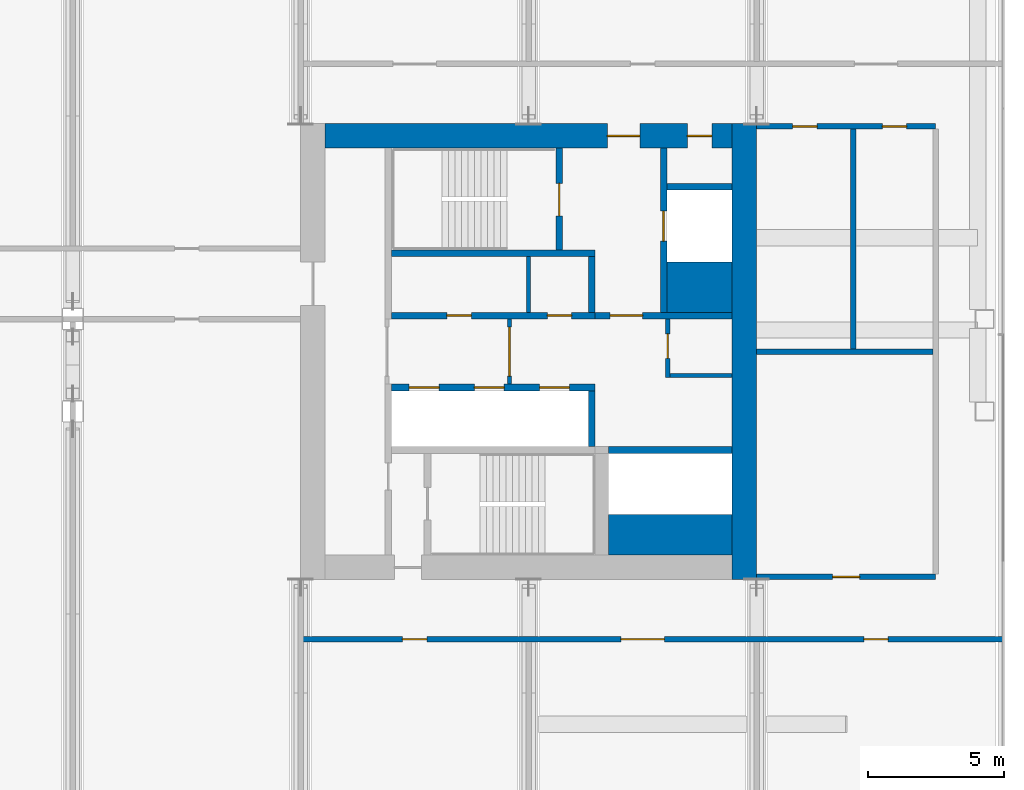
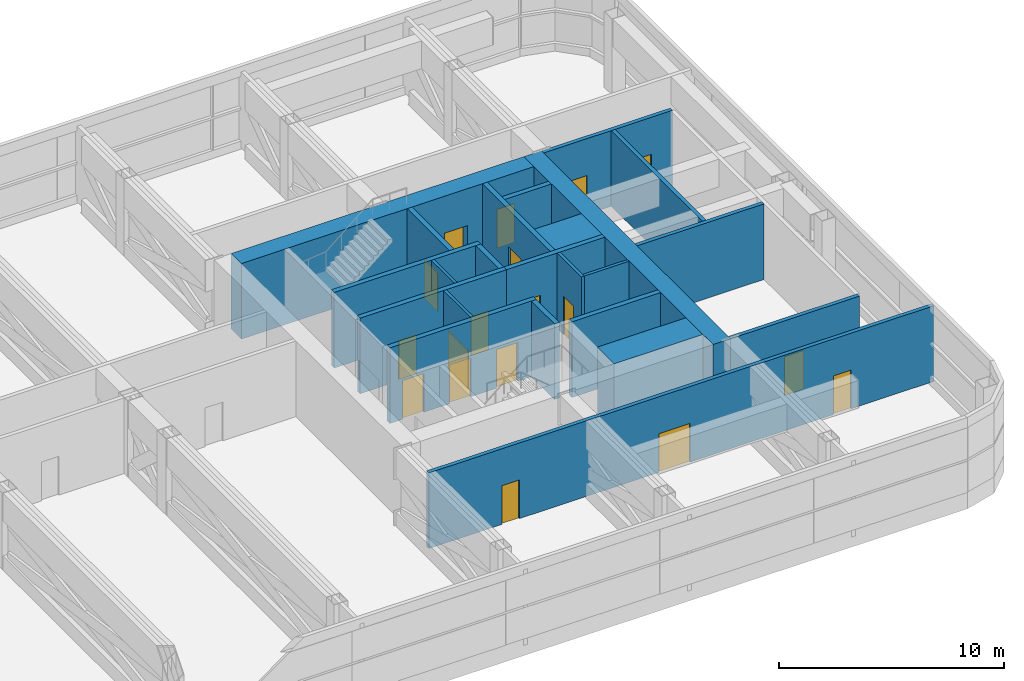
# One storey, part 18 of 33: 23 walls, 18 doors, 18 openings.
"""IFC4 building model written with IfcOpenShell, lengths in metres."""

import ifcopenshell
import ifcopenshell.guid

model = None  # the IFC model being written
_history = None  # IfcOwnerHistory: only IFC2X3 demands one
_inside = {}  # id of a spatial element -> (the spatial element, [elements in it])
_under = {}  # id of a project, library or spatial element -> (it, [spatial elements below it])
_declared = {}  # id of a project -> (the project, [libraries it declares])
_typed = {}  # id of a type object -> (the type object, [elements of that type])
_made_of = {}  # id of a material, layer set ... -> (it, [elements and type objects made of it])


def new_model(schema):
    """Start an empty IFC model of exactly this schema.

    Asked for "IFC4X3", IfcOpenShell would pick the latest addendum, in which some entities
    have other attributes; the version numbers below select the first issue.
    IFC2X3 requires an IfcOwnerHistory on every rooted entity: one is made here for all.
    """
    global model, _history
    if schema == "IFC4X3":
        model = ifcopenshell.file(schema_version=(4, 3, 0, 0))
    else:
        model = ifcopenshell.file(schema=schema)
    _inside.clear()
    _under.clear()
    _declared.clear()
    _typed.clear()
    _made_of.clear()
    _history = None
    if model.schema == "IFC2X3":
        org = make("IfcOrganization", Name="unknown")
        user = make(
            "IfcPersonAndOrganization",
            ThePerson=make("IfcPerson", FamilyName="unknown"),
            TheOrganization=org,
        )
        app = make(
            "IfcApplication",
            ApplicationDeveloper=org,
            Version="unknown",
            ApplicationFullName="unknown",
            ApplicationIdentifier="unknown",
        )
        _history = make(
            "IfcOwnerHistory",
            OwningUser=user,
            OwningApplication=app,
            ChangeAction="ADDED",
            CreationDate=0,
        )
    return model


def make(cls, **values):
    """One entity of the class cls with the attributes given. An attribute that is None is left unset."""
    return model.create_entity(
        cls, **{name: value for name, value in values.items() if value is not None}
    )


def rooted(cls, **values):
    """An entity with a GlobalId (a new one), such as an element, a storey or a relation."""
    return make(cls, GlobalId=ifcopenshell.guid.new(), OwnerHistory=_history, **values)


def si_unit(unit_type, name, prefix=None):
    """IfcSIUnit, for example si_unit("LENGTHUNIT", "METRE", prefix="MILLI")."""
    return make("IfcSIUnit", UnitType=unit_type, Prefix=prefix, Name=name)


def assignment(units):
    """IfcUnitAssignment: the units of a project."""
    return None if units is None else make("IfcUnitAssignment", Units=units)


def point(xyz):
    """IfcCartesianPoint."""
    return None if xyz is None else make("IfcCartesianPoint", Coordinates=xyz)


def direction(xyz):
    """IfcDirection."""
    return None if xyz is None else make("IfcDirection", DirectionRatios=xyz)


def frame(location, z_axis=None, x_axis=None):
    """IfcAxis2Placement3D, a coordinate frame: its origin and axes. An axis left out is left unset."""
    return make(
        "IfcAxis2Placement3D",
        Location=point(location),
        Axis=direction(z_axis),
        RefDirection=direction(x_axis),
    )


def frame_2d(location, x_axis=None):
    """IfcAxis2Placement2D, a coordinate frame in the plane: its origin and x axis."""
    return make(
        "IfcAxis2Placement2D", Location=point(location), RefDirection=direction(x_axis)
    )


def origin():
    """The frame at (0, 0, 0) with its axes left unset."""
    return frame((0.0, 0.0, 0.0))


def place(relative_to, where):
    """IfcLocalPlacement: puts the frame where relative to a parent placement (None: the world)."""
    return make(
        "IfcLocalPlacement", PlacementRelTo=relative_to, RelativePlacement=where
    )


def context(
    kind, dimensions, precision=None, world=None, true_north=None, identifier=None
):
    """IfcGeometricRepresentationContext, for example the 3D "Model" context."""
    return make(
        "IfcGeometricRepresentationContext",
        ContextIdentifier=identifier,
        ContextType=kind,
        CoordinateSpaceDimension=dimensions,
        Precision=precision,
        WorldCoordinateSystem=world,
        TrueNorth=true_north,
    )


def subcontext(parent, identifier, kind, view, scale=None):
    """IfcGeometricRepresentationSubContext, for example "Body" below "Model"."""
    return make(
        "IfcGeometricRepresentationSubContext",
        ContextIdentifier=identifier,
        ContextType=kind,
        ParentContext=parent,
        TargetScale=scale,
        TargetView=view,
    )


def project(units=None, contexts=None):
    """IfcProject with its units and contexts."""
    return rooted(
        "IfcProject",
        Name="project",
        RepresentationContexts=contexts,
        UnitsInContext=assignment(units),
    )


def spatial(cls, under=None, at=None, **own):
    """A site, building, storey or space (cls), placed at a placement, below another one or the project."""
    s = rooted(cls, ObjectPlacement=at, **own)
    if under is not None:
        _under.setdefault(under.id(), (under, []))[1].append(s)
    return s


def profile(cls, at=None, kind="AREA", **sizes):
    """A parametric profile (cls). Its sizes go by their IFC names, for example OverallWidth=200.0."""
    return make(cls, ProfileType=kind, Position=at, **sizes)


def rectangle(**sizes):
    """IfcRectangleProfileDef."""
    return profile("IfcRectangleProfileDef", **sizes)


def extrude(swept, where, along, depth):
    """IfcExtrudedAreaSolid: the profile swept, set in the frame where, extruded along a direction by depth."""
    return make(
        "IfcExtrudedAreaSolid",
        SweptArea=swept,
        Position=where,
        ExtrudedDirection=direction(along),
        Depth=depth,
    )


def shape(context_of_items, identifier, shape_type, items):
    """IfcShapeRepresentation: the items that make up one representation, for example the "Body"."""
    return make(
        "IfcShapeRepresentation",
        ContextOfItems=context_of_items,
        RepresentationIdentifier=identifier,
        RepresentationType=shape_type,
        Items=items,
    )


def material(Name=None, Category=None):
    """IfcMaterial."""
    return make("IfcMaterial", Name=Name, Category=Category)


def layer(
    of_material, thickness, ventilated=None, Name=None, Category=None, Priority=None
):
    """IfcMaterialLayer: one layer of a wall or slab, of a material (None: an air gap)."""
    return make(
        "IfcMaterialLayer",
        Material=of_material,
        LayerThickness=thickness,
        IsVentilated=ventilated,
        Name=Name,
        Category=Category,
        Priority=Priority,
    )


def layer_set(layers, Name=None):
    """IfcMaterialLayerSet."""
    return make("IfcMaterialLayerSet", MaterialLayers=layers, LayerSetName=Name)


def made_of(thing, what):
    """Note that an element or type object is made of a material, layer set ...; save() writes the relation."""
    if what is not None:
        _made_of.setdefault(what.id(), (what, []))[1].append(thing)
    return thing


def type_object(cls, material=None, **own):
    """A type object (cls), such as IfcWallType, which elements share."""
    return made_of(rooted(cls, **own), material)


def element(
    cls,
    number,
    at=None,
    inside=None,
    cuts=None,
    type_object=None,
    material=None,
    context=None,
    identifier="Body",
    shape_type=None,
    held_by="IfcProductDefinitionShape",
    body=None,
    shapes=None,
    **own,
):
    """One element of the class cls, such as IfcWall. Its Tag is "e" and its number.

    at: its placement. inside: the storey or other place that contains it. cuts: it is an
    opening in that element (IfcRelVoidsElement). A single representation is given by context,
    identifier, shape_type and body (its items); several are given by shapes. held_by: the class
    of the entity that holds the representations. save() writes the other relations.
    """
    e = rooted(cls, Tag="e%d" % number, ObjectPlacement=at, **own)
    if body is not None:
        shapes = [shape(context, identifier, shape_type, body)]
    if shapes is not None:
        e.Representation = make(held_by, Representations=shapes)
    if inside is not None:
        _inside.setdefault(inside.id(), (inside, []))[1].append(e)
    if cuts is not None:
        rooted(
            "IfcRelVoidsElement", RelatingBuildingElement=cuts, RelatedOpeningElement=e
        )
    if type_object is not None:
        _typed.setdefault(type_object.id(), (type_object, []))[1].append(e)
    return made_of(e, material)


def fill(opening, filler):
    """IfcRelFillsElement: the door or window that sits in an opening."""
    return rooted(
        "IfcRelFillsElement",
        RelatingOpeningElement=opening,
        RelatedBuildingElement=filler,
    )


def aggregate(whole, parts):
    """IfcRelAggregates: a whole, such as a stair, and the parts it consists of."""
    return rooted("IfcRelAggregates", RelatingObject=whole, RelatedObjects=parts)


def save(model, path):
    """Write the relations noted so far, then the file.

    IfcRelAggregates (storeys below a building ...), IfcRelContainedInSpatialStructure (elements
    in a storey), IfcRelDefinesByType, IfcRelAssociatesMaterial and IfcRelDeclares: one each for
    every whole, place, type object, material and project.
    """
    for whole, parts in _under.values():
        aggregate(whole, parts)
    for where, things in _inside.values():
        rooted(
            "IfcRelContainedInSpatialStructure",
            RelatedElements=things,
            RelatingStructure=where,
        )
    for kind, things in _typed.values():
        rooted("IfcRelDefinesByType", RelatedObjects=things, RelatingType=kind)
    for what, things in _made_of.values():
        rooted("IfcRelAssociatesMaterial", RelatedObjects=things, RelatingMaterial=what)
    for by, libraries in _declared.values():
        rooted("IfcRelDeclares", RelatingContext=by, RelatedDefinitions=libraries)
    model.write(path)


model = new_model("IFC4")

# Units and contexts
model_context = context("Model", 3, precision=1e-05, world=origin(), true_north=direction((0.0, 1.0)))
body_context = subcontext(model_context, "Body", "Model", "MODEL_VIEW")
ifc_project = project(units=[si_unit("LENGTHUNIT", "METRE"), si_unit("AREAUNIT", "SQUARE_METRE"), si_unit("VOLUMEUNIT", "CUBIC_METRE"), si_unit("PLANEANGLEUNIT", "RADIAN"), si_unit("MASSUNIT", "GRAM", prefix="KILO")], contexts=[model_context])

# Site, building, storey
site_placement = place(None, origin())
site = spatial("IfcSite", under=ifc_project, at=site_placement, CompositionType="ELEMENT")
building_placement = place(site_placement, origin())
building = spatial("IfcBuilding", under=site, at=building_placement, Name="Hakoniwa Tower and Hamabe Station Hall", CompositionType="ELEMENT")
storey_placement = place(building_placement, frame((0.0, 0.0, 175.800048828125)))
storey = spatial("IfcBuildingStorey", under=building, at=storey_placement, Name="L50", CompositionType="ELEMENT", Elevation=175.800048828125)

# Wall, opening, door
ifc_material_1 = material(Name="Gypsum board partition")
ifc_layer_1 = layer(ifc_material_1, 0.14990234375)
ifc_layer_set_1 = layer_set([ifc_layer_1], Name="CORE PARTITION 150 EI 60")
wall_type_1 = type_object("IfcWallType", Name="CORE PARTITION 150 EI 60", PredefinedType="PARTITIONING", material=ifc_layer_set_1)
wall_1_placement = place(storey_placement, frame((24.5, -1.199951171875, 0.0), z_axis=(0.0, 0.0, 1.0), x_axis=(0.0, 1.0, 0.0)))
wall_1 = element("IfcWall", 1, at=wall_1_placement, inside=storey, type_object=wall_type_1, Name="Core partition PL1 east", PredefinedType="PARTITIONING", context=body_context, shape_type="SweptSolid", body=[
    extrude(rectangle(XDim=2.39990234375, YDim=0.14990234375, at=frame_2d((1.199951171875, 0.0))), origin(), (0.0, 0.0, 1.0), 4.099853515625),
])
opening_1_placement = place(wall_1_placement, frame((0.300048828125, 0.0, 0.0)))
opening_1 = element("IfcOpeningElement", 2, at=opening_1_placement, cuts=wall_1, Name="Opening CD-E-LP1-18", PredefinedType="OPENING", context=body_context, shape_type="SweptSolid", body=[
    extrude(rectangle(XDim=1.800048828125, YDim=2.10009765625, at=frame_2d((0.89990234375, 1.050048828125))), frame((0.0, 0.0849609375, 0.0), z_axis=(0.0, -1.0, 0.0), x_axis=(1.0, 0.0, 0.0)), (0.0, 0.0, 1.0), 0.169921875),
])
ifc_material_2 = material(Name="Steel fire door", Category="steel")
door_type_1 = type_object("IfcDoorType", Name="CORE DOOR 1800 FD60", OperationType="DOUBLE_DOOR_SINGLE_SWING", PredefinedType="DOOR", material=ifc_material_2)
door_1_placement = place(opening_1_placement, origin())
door_1 = element("IfcDoor", 3, at=door_1_placement, inside=storey, type_object=door_type_1, Name="Lift lobby partition door", OperationType="DOUBLE_DOOR_SINGLE_SWING", OverallHeight=2.10009765625, OverallWidth=1.800048828125, PredefinedType="DOOR", context=body_context, shape_type="SweptSolid", body=[
    extrude(rectangle(XDim=1.800048828125, YDim=2.10009765625, at=frame_2d((0.89990234375, 1.050048828125))), frame((0.0, 0.02490234375, 0.0), z_axis=(0.0, -1.0, 0.0), x_axis=(1.0, 0.0, 0.0)), (0.0, 0.0, 1.0), 0.050048828125),
])
fill(opening_1, door_1)

wall_2_placement = place(storey_placement, frame((30.324951171875, -0.949951171875, 0.0), z_axis=(0.0, 0.0, 1.0), x_axis=(0.0, 1.0, 0.0)))
wall_2 = element("IfcWall", 4, at=wall_2_placement, inside=storey, type_object=wall_type_1, Name="Core partition PW0 east", PredefinedType="PARTITIONING", context=body_context, shape_type="SweptSolid", body=[
    extrude(rectangle(XDim=2.14990234375, YDim=0.14990234375, at=frame_2d((1.074951171875, 0.0))), origin(), (0.0, 0.0, 1.0), 4.099853515625),
])
opening_2_placement = place(wall_2_placement, frame((0.699951171875, 0.0, 0.0)))
opening_2 = element("IfcOpeningElement", 5, at=opening_2_placement, cuts=wall_2, Name="Opening CD-E-RM1-9", PredefinedType="OPENING", context=body_context, shape_type="SweptSolid", body=[
    extrude(rectangle(XDim=0.89990234375, YDim=2.10009765625, at=frame_2d((0.449951171875, 1.050048828125))), frame((0.0, 0.0849609375, 0.0), z_axis=(0.0, -1.0, 0.0), x_axis=(1.0, 0.0, 0.0)), (0.0, 0.0, 1.0), 0.169921875),
])
ifc_material_3 = material(Name="Steel fire door", Category="steel")
door_type_2 = type_object("IfcDoorType", Name="CORE DOOR 900 FD30", OperationType="NOTDEFINED", PredefinedType="DOOR", material=ifc_material_3)
door_2_placement = place(opening_2_placement, origin())
door_2 = element("IfcDoor", 6, at=door_2_placement, inside=storey, type_object=door_type_2, Name="Store room door", OperationType="SINGLE_SWING_LEFT", OverallHeight=2.10009765625, OverallWidth=0.89990234375, PredefinedType="DOOR", context=body_context, shape_type="SweptSolid", body=[
    extrude(rectangle(XDim=0.89990234375, YDim=2.10009765625, at=frame_2d((0.449951171875, 1.050048828125))), frame((0.0, 0.02490234375, 0.0), z_axis=(0.0, -1.0, 0.0), x_axis=(1.0, 0.0, 0.0)), (0.0, 0.0, 1.0), 0.050048828125),
])
fill(opening_2, door_2)

# Walls
wall_3_placement = place(storey_placement, frame((30.39990234375, -0.875, 0.0), z_axis=(0.0, 0.0, 1.0), x_axis=(1.0, 0.0, 0.0)))
element("IfcWall", 7, at=wall_3_placement, inside=storey, type_object=wall_type_1, Name="Core partition PS east", PredefinedType="PARTITIONING", context=body_context, shape_type="SweptSolid", body=[
    extrude(rectangle(XDim=2.300048828125, YDim=0.14990234375, at=frame_2d((1.14990234375, 0.0))), origin(), (0.0, 0.0, 1.0), 4.099853515625),
])
wall_4_placement = place(storey_placement, frame((25.199951171875, 1.449951171875, 0.0), z_axis=(0.0, 0.0, 1.0), x_axis=(0.0, 1.0, 0.0)))
element("IfcWall", 8, at=wall_4_placement, inside=storey, type_object=wall_type_1, Name="Core partition PFLR0 east", PredefinedType="PARTITIONING", context=body_context, shape_type="SweptSolid", body=[
    extrude(rectangle(XDim=2.050048828125, YDim=0.14990234375, at=frame_2d((1.02490234375, 0.0))), origin(), (0.0, 0.0, 1.0), 4.099853515625),
])
ifc_material_4 = material(Name="Concrete C66", Category="concrete")
ifc_layer_2 = layer(ifc_material_4, 0.89990234375)
ifc_layer_set_2 = layer_set([ifc_layer_2], Name="CORE WALL 900 C66")
wall_type_2 = type_object("IfcWallType", Name="CORE WALL 900 C66", PredefinedType="SHEAR", material=ifc_layer_set_2)
wall_5_placement = place(storey_placement, frame((33.14990234375, -8.39990234375, 0.0), z_axis=(0.0, 0.0, 1.0), x_axis=(0.0, 1.0, 0.0)))
element("IfcWall", 9, at=wall_5_placement, inside=storey, type_object=wall_type_2, Name="Core wall OUTER east", PredefinedType="SHEAR", context=body_context, shape_type="SweptSolid", body=[
    extrude(rectangle(XDim=16.7998046875, YDim=0.89990234375, at=frame_2d((8.39990234375, 0.0))), origin(), (0.0, 0.0, 1.0), 4.099853515625),
])

# Wall, openings, doors
wall_6_placement = place(storey_placement, frame((17.699951171875, 7.949951171875, 0.0), z_axis=(0.0, 0.0, 1.0), x_axis=(1.0, 0.0, 0.0)))
wall_6 = element("IfcWall", 10, at=wall_6_placement, inside=storey, type_object=wall_type_2, Name="Core wall NORTH east", PredefinedType="SHEAR", context=body_context, shape_type="SweptSolid", body=[
    extrude(rectangle(XDim=15.0, YDim=0.89990234375, at=frame_2d((7.5, 0.0))), origin(), (0.0, 0.0, 1.0), 4.099853515625),
])
opening_3_placement = place(wall_6_placement, frame((10.39990234375, 0.0, 0.0)))
opening_3 = element("IfcOpeningElement", 11, at=opening_3_placement, cuts=wall_6, Name="Opening CD-E-FN1-12", PredefinedType="OPENING", context=body_context, shape_type="SweptSolid", body=[
    extrude(rectangle(XDim=1.199951171875, YDim=2.10009765625, at=frame_2d((0.60009765625, 1.050048828125))), frame((0.0, 0.4599609375, 0.0), z_axis=(0.0, -1.0, 0.0), x_axis=(1.0, 0.0, 0.0)), (0.0, 0.0, 1.0), 0.919921875),
])
opening_4_placement = place(wall_6_placement, frame((13.35009765625, 0.0, 0.0)))
opening_4 = element("IfcOpeningElement", 12, at=opening_4_placement, cuts=wall_6, Name="Opening CD-E-FN2-9", PredefinedType="OPENING", context=body_context, shape_type="SweptSolid", body=[
    extrude(rectangle(XDim=0.89990234375, YDim=2.10009765625, at=frame_2d((0.449951171875, 1.050048828125))), frame((0.0, 0.4599609375, 0.0), z_axis=(0.0, -1.0, 0.0), x_axis=(1.0, 0.0, 0.0)), (0.0, 0.0, 1.0), 0.919921875),
])
ifc_material_5 = material(Name="Steel fire door", Category="steel")
door_type_3 = type_object("IfcDoorType", Name="CORE DOOR 1200 FD60", OperationType="DOUBLE_DOOR_SINGLE_SWING", PredefinedType="DOOR", material=ifc_material_5)
door_3_placement = place(opening_3_placement, origin())
door_3 = element("IfcDoor", 13, at=door_3_placement, inside=storey, type_object=door_type_3, Name="Stair vestibule door to the fire-fighting lobby", OperationType="DOUBLE_DOOR_SINGLE_SWING", OverallHeight=2.10009765625, OverallWidth=1.199951171875, PredefinedType="DOOR", context=body_context, shape_type="SweptSolid", body=[
    extrude(rectangle(XDim=1.199951171875, YDim=2.10009765625, at=frame_2d((0.60009765625, 1.050048828125))), frame((0.0, 0.02490234375, 0.0), z_axis=(0.0, -1.0, 0.0), x_axis=(1.0, 0.0, 0.0)), (0.0, 0.0, 1.0), 0.050048828125),
])
fill(opening_3, door_3)
door_4_placement = place(opening_4_placement, origin())
door_4 = element("IfcDoor", 14, at=door_4_placement, inside=storey, type_object=door_type_2, Name="Riser access door", OperationType="SINGLE_SWING_LEFT", OverallHeight=2.10009765625, OverallWidth=0.89990234375, PredefinedType="DOOR", context=body_context, shape_type="SweptSolid", body=[
    extrude(rectangle(XDim=0.89990234375, YDim=2.10009765625, at=frame_2d((0.449951171875, 1.050048828125))), frame((0.0, 0.02490234375, 0.0), z_axis=(0.0, -1.0, 0.0), x_axis=(1.0, 0.0, 0.0)), (0.0, 0.0, 1.0), 0.050048828125),
])
fill(opening_4, door_4)

# Walls
ifc_material_6 = material(Name="Concrete C66", Category="concrete")
ifc_layer_3 = layer(ifc_material_6, 1.5)
ifc_layer_set_3 = layer_set([ifc_layer_3], Name="CORE WEB WALL 1500 C66")
wall_type_3 = type_object("IfcWallType", Name="CORE WEB WALL 1500 C66", PredefinedType="SHEAR", material=ifc_layer_set_3)
wall_7_placement = place(storey_placement, frame((28.14990234375, -6.75, 0.0), z_axis=(0.0, 0.0, 1.0), x_axis=(1.0, 0.0, 0.0)))
element("IfcWall", 15, at=wall_7_placement, inside=storey, type_object=wall_type_3, Name="Core wall SER east", PredefinedType="SHEAR", context=body_context, shape_type="SweptSolid", body=[
    extrude(rectangle(XDim=4.550048828125, YDim=1.5, at=frame_2d((2.27490234375, 0.0))), origin(), (0.0, 0.0, 1.0), 4.099853515625),
])
ifc_material_7 = material(Name="Concrete C66", Category="concrete")
ifc_layer_4 = layer(ifc_material_7, 1.85009765625)
ifc_layer_set_4 = layer_set([ifc_layer_4], Name="CORE WEB WALL 1850 C66")
wall_type_4 = type_object("IfcWallType", Name="CORE WEB WALL 1850 C66", PredefinedType="SHEAR", material=ifc_layer_set_4)
wall_8_placement = place(storey_placement, frame((30.300048828125, 2.375, 0.0), z_axis=(0.0, 0.0, 1.0), x_axis=(1.0, 0.0, 0.0)))
element("IfcWall", 16, at=wall_8_placement, inside=storey, type_object=wall_type_4, Name="Core wall CA east", PredefinedType="SHEAR", context=body_context, shape_type="SweptSolid", body=[
    extrude(rectangle(XDim=2.39990234375, YDim=1.85009765625, at=frame_2d((1.199951171875, 0.0))), origin(), (0.0, 0.0, 1.0), 4.099853515625),
])

# Wall, openings, doors
ifc_material_8 = material(Name="Concrete C66", Category="concrete")
ifc_layer_5 = layer(ifc_material_8, 0.25)
ifc_layer_set_5 = layer_set([ifc_layer_5], Name="CORE WEB WALL 250 C66")
wall_type_5 = type_object("IfcWallType", Name="CORE WEB WALL 250 C66", PredefinedType="SHEAR", material=ifc_layer_set_5)
wall_9_placement = place(storey_placement, frame((20.14990234375, 1.324951171875, 0.0), z_axis=(0.0, 0.0, 1.0), x_axis=(1.0, 0.0, 0.0)))
wall_9 = element("IfcWall", 17, at=wall_9_placement, inside=storey, type_object=wall_type_5, Name="Core wall NF east", PredefinedType="SHEAR", context=body_context, shape_type="SweptSolid", body=[
    extrude(rectangle(XDim=7.5, YDim=0.25, at=frame_2d((3.75, 0.0))), origin(), (0.0, 0.0, 1.0), 4.099853515625),
])
opening_5_placement = place(wall_9_placement, frame((2.03759765625, 0.0, 0.0)))
opening_5 = element("IfcOpeningElement", 18, at=opening_5_placement, cuts=wall_9, Name="Opening CD-E-FRLR0-9", PredefinedType="OPENING", context=body_context, shape_type="SweptSolid", body=[
    extrude(rectangle(XDim=0.89990234375, YDim=2.10009765625, at=frame_2d((0.449951171875, 1.050048828125))), frame((0.0, 0.135009765625, 0.0), z_axis=(0.0, -1.0, 0.0), x_axis=(1.0, 0.0, 0.0)), (0.0, 0.0, 1.0), 0.27001953125),
])
opening_6_placement = place(wall_9_placement, frame((5.737548828125, 0.0, 0.0)))
opening_6 = element("IfcOpeningElement", 19, at=opening_6_placement, cuts=wall_9, Name="Opening CD-E-FRLR1-9", PredefinedType="OPENING", context=body_context, shape_type="SweptSolid", body=[
    extrude(rectangle(XDim=0.89990234375, YDim=2.10009765625, at=frame_2d((0.449951171875, 1.050048828125))), frame((0.0, 0.135009765625, 0.0), z_axis=(0.0, -1.0, 0.0), x_axis=(1.0, 0.0, 0.0)), (0.0, 0.0, 1.0), 0.27001953125),
])
door_5_placement = place(opening_5_placement, origin())
door_5 = element("IfcDoor", 20, at=door_5_placement, inside=storey, type_object=door_type_2, Name="Store room door", OperationType="SINGLE_SWING_RIGHT", OverallHeight=2.10009765625, OverallWidth=0.89990234375, PredefinedType="DOOR", context=body_context, shape_type="SweptSolid", body=[
    extrude(rectangle(XDim=0.89990234375, YDim=2.10009765625, at=frame_2d((0.449951171875, 1.050048828125))), frame((0.0, 0.02490234375, 0.0), z_axis=(0.0, -1.0, 0.0), x_axis=(1.0, 0.0, 0.0)), (0.0, 0.0, 1.0), 0.050048828125),
])
fill(opening_5, door_5)
door_6_placement = place(opening_6_placement, origin())
door_6 = element("IfcDoor", 21, at=door_6_placement, inside=storey, type_object=door_type_2, Name="Store room door", OperationType="SINGLE_SWING_LEFT", OverallHeight=2.10009765625, OverallWidth=0.89990234375, PredefinedType="DOOR", context=body_context, shape_type="SweptSolid", body=[
    extrude(rectangle(XDim=0.89990234375, YDim=2.10009765625, at=frame_2d((0.449951171875, 1.050048828125))), frame((0.0, 0.02490234375, 0.0), z_axis=(0.0, -1.0, 0.0), x_axis=(1.0, 0.0, 0.0)), (0.0, 0.0, 1.0), 0.050048828125),
])
fill(opening_6, door_6)

# Walls
wall_10_placement = place(storey_placement, frame((27.52490234375, 1.449951171875, 0.0), z_axis=(0.0, 0.0, 1.0), x_axis=(0.0, 1.0, 0.0)))
element("IfcWall", 22, at=wall_10_placement, inside=storey, type_object=wall_type_5, Name="Core wall NE east", PredefinedType="SHEAR", context=body_context, shape_type="SweptSolid", body=[
    extrude(rectangle(XDim=2.050048828125, YDim=0.25, at=frame_2d((1.02490234375, 0.0))), origin(), (0.0, 0.0, 1.0), 4.099853515625),
])
wall_11_placement = place(storey_placement, frame((20.14990234375, 3.625, 0.0), z_axis=(0.0, 0.0, 1.0), x_axis=(1.0, 0.0, 0.0)))
element("IfcWall", 23, at=wall_11_placement, inside=storey, type_object=wall_type_5, Name="Core wall NR east", PredefinedType="SHEAR", context=body_context, shape_type="SweptSolid", body=[
    extrude(rectangle(XDim=7.5, YDim=0.25, at=frame_2d((3.75, 0.0))), origin(), (0.0, 0.0, 1.0), 4.099853515625),
])

# Wall, opening, door
wall_12_placement = place(storey_placement, frame((26.324951171875, 3.75, 0.0), z_axis=(0.0, 0.0, 1.0), x_axis=(0.0, 1.0, 0.0)))
wall_12 = element("IfcWall", 24, at=wall_12_placement, inside=storey, type_object=wall_type_5, Name="Core wall NSE east", PredefinedType="SHEAR", context=body_context, shape_type="SweptSolid", body=[
    extrude(rectangle(XDim=3.75, YDim=0.25, at=frame_2d((1.875, 0.0))), origin(), (0.0, 0.0, 1.0), 4.099853515625),
])
opening_7_placement = place(wall_12_placement, frame((1.25, 0.0, 0.0)))
opening_7 = element("IfcOpeningElement", 25, at=opening_7_placement, cuts=wall_12, Name="Opening CD-E-SN-12", PredefinedType="OPENING", context=body_context, shape_type="SweptSolid", body=[
    extrude(rectangle(XDim=1.199951171875, YDim=2.10009765625, at=frame_2d((0.60009765625, 1.050048828125))), frame((0.0, 0.135009765625, 0.0), z_axis=(0.0, -1.0, 0.0), x_axis=(1.0, 0.0, 0.0)), (0.0, 0.0, 1.0), 0.27001953125),
])
door_7_placement = place(opening_7_placement, origin())
door_7 = element("IfcDoor", 26, at=door_7_placement, inside=storey, type_object=door_type_3, Name="Escape stair door", OperationType="DOUBLE_DOOR_SINGLE_SWING", OverallHeight=2.10009765625, OverallWidth=1.199951171875, PredefinedType="DOOR", context=body_context, shape_type="SweptSolid", body=[
    extrude(rectangle(XDim=1.199951171875, YDim=2.10009765625, at=frame_2d((0.60009765625, 1.050048828125))), frame((0.0, 0.02490234375, 0.0), z_axis=(0.0, -1.0, 0.0), x_axis=(1.0, 0.0, 0.0)), (0.0, 0.0, 1.0), 0.050048828125),
])
fill(opening_7, door_7)

wall_13_placement = place(storey_placement, frame((27.64990234375, 1.324951171875, 0.0), z_axis=(0.0, 0.0, 1.0), x_axis=(1.0, 0.0, 0.0)))
wall_13 = element("IfcWall", 27, at=wall_13_placement, inside=storey, type_object=wall_type_5, Name="Core wall ELN east", PredefinedType="SHEAR", context=body_context, shape_type="SweptSolid", body=[
    extrude(rectangle(XDim=5.050048828125, YDim=0.25, at=frame_2d((2.52490234375, 0.0))), origin(), (0.0, 0.0, 1.0), 4.099853515625),
])
opening_8_placement = place(wall_13_placement, frame((0.550048828125, 0.0, 0.0)))
opening_8 = element("IfcOpeningElement", 28, at=opening_8_placement, cuts=wall_13, Name="Opening CD-E-FL-12", PredefinedType="OPENING", context=body_context, shape_type="SweptSolid", body=[
    extrude(rectangle(XDim=1.199951171875, YDim=2.10009765625, at=frame_2d((0.60009765625, 1.050048828125))), frame((0.0, 0.135009765625, 0.0), z_axis=(0.0, -1.0, 0.0), x_axis=(1.0, 0.0, 0.0)), (0.0, 0.0, 1.0), 0.27001953125),
])
door_8_placement = place(opening_8_placement, origin())
door_8 = element("IfcDoor", 29, at=door_8_placement, inside=storey, type_object=door_type_3, Name="Stair vestibule door to the fire-fighting lobby", OperationType="DOUBLE_DOOR_SINGLE_SWING", OverallHeight=2.10009765625, OverallWidth=1.199951171875, PredefinedType="DOOR", context=body_context, shape_type="SweptSolid", body=[
    extrude(rectangle(XDim=1.199951171875, YDim=2.10009765625, at=frame_2d((0.60009765625, 1.050048828125))), frame((0.0, 0.02490234375, 0.0), z_axis=(0.0, -1.0, 0.0), x_axis=(1.0, 0.0, 0.0)), (0.0, 0.0, 1.0), 0.050048828125),
])
fill(opening_8, door_8)

wall_14_placement = place(storey_placement, frame((30.175048828125, 1.449951171875, 0.0), z_axis=(0.0, 0.0, 1.0), x_axis=(0.0, 1.0, 0.0)))
wall_14 = element("IfcWall", 30, at=wall_14_placement, inside=storey, type_object=wall_type_5, Name="Core wall FFF east", PredefinedType="SHEAR", context=body_context, shape_type="SweptSolid", body=[
    extrude(rectangle(XDim=6.050048828125, YDim=0.25, at=frame_2d((3.02490234375, 0.0))), origin(), (0.0, 0.0, 1.0), 4.099853515625),
])
opening_9_placement = place(wall_14_placement, frame((2.625, 0.0, 0.0)))
opening_9 = element("IfcOpeningElement", 31, at=opening_9_placement, cuts=wall_14, Name="Opening LD-FF2", PredefinedType="OPENING", context=body_context, shape_type="SweptSolid", body=[
    extrude(rectangle(XDim=1.10009765625, YDim=2.10009765625, at=frame_2d((0.550048828125, 1.050048828125))), frame((0.0, 0.135009765625, 0.0), z_axis=(0.0, -1.0, 0.0), x_axis=(1.0, 0.0, 0.0)), (0.0, 0.0, 1.0), 0.27001953125),
])
ifc_material_9 = material(Name="Stainless steel SUS304", Category="steel")
door_type_4 = type_object("IfcDoorType", Name="LIFT LANDING DOOR 1100 FD60", OperationType="DOUBLE_DOOR_SLIDING", PredefinedType="DOOR", material=ifc_material_9)
door_9_placement = place(opening_9_placement, origin())
door_9 = element("IfcDoor", 32, at=door_9_placement, inside=storey, type_object=door_type_4, Name="Lift landing door FF2 L50", OperationType="DOUBLE_DOOR_SLIDING", OverallHeight=2.10009765625, OverallWidth=1.10009765625, PredefinedType="DOOR", context=body_context, shape_type="SweptSolid", body=[
    extrude(rectangle(XDim=1.10009765625, YDim=2.10009765625, at=frame_2d((0.550048828125, 1.050048828125))), frame((0.0, 0.02490234375, 0.0), z_axis=(0.0, -1.0, 0.0), x_axis=(1.0, 0.0, 0.0)), (0.0, 0.0, 1.0), 0.050048828125),
])
fill(opening_9, door_9)

# Wall
wall_15_placement = place(storey_placement, frame((30.300048828125, 6.074951171875, 0.0), z_axis=(0.0, 0.0, 1.0), x_axis=(1.0, 0.0, 0.0)))
element("IfcWall", 33, at=wall_15_placement, inside=storey, type_object=wall_type_5, Name="Core wall C2 east", PredefinedType="SHEAR", context=body_context, shape_type="SweptSolid", body=[
    extrude(rectangle(XDim=2.39990234375, YDim=0.25, at=frame_2d((1.199951171875, 0.0))), origin(), (0.0, 0.0, 1.0), 4.099853515625),
])

# Wall, openings, doors
wall_16_placement = place(storey_placement, frame((20.14990234375, -1.324951171875, 0.0), z_axis=(0.0, 0.0, 1.0), x_axis=(1.0, 0.0, 0.0)))
wall_16 = element("IfcWall", 34, at=wall_16_placement, inside=storey, type_object=wall_type_5, Name="Core wall SF east", PredefinedType="SHEAR", context=body_context, shape_type="SweptSolid", body=[
    extrude(rectangle(XDim=7.5, YDim=0.25, at=frame_2d((3.75, 0.0))), origin(), (0.0, 0.0, 1.0), 4.099853515625),
])
opening_10_placement = place(wall_16_placement, frame((0.64990234375, 0.0, 0.0)))
opening_10 = element("IfcOpeningElement", 35, at=opening_10_placement, cuts=wall_16, Name="Opening LD-HR4", PredefinedType="OPENING", context=body_context, shape_type="SweptSolid", body=[
    extrude(rectangle(XDim=1.10009765625, YDim=2.10009765625, at=frame_2d((0.550048828125, 1.050048828125))), frame((0.0, 0.135009765625, 0.0), z_axis=(0.0, -1.0, 0.0), x_axis=(1.0, 0.0, 0.0)), (0.0, 0.0, 1.0), 0.27001953125),
])
opening_11_placement = place(wall_16_placement, frame((3.050048828125, 0.0, 0.0)))
opening_11 = element("IfcOpeningElement", 36, at=opening_11_placement, cuts=wall_16, Name="Opening LD-HR5", PredefinedType="OPENING", context=body_context, shape_type="SweptSolid", body=[
    extrude(rectangle(XDim=1.10009765625, YDim=2.10009765625, at=frame_2d((0.550048828125, 1.050048828125))), frame((0.0, 0.135009765625, 0.0), z_axis=(0.0, -1.0, 0.0), x_axis=(1.0, 0.0, 0.0)), (0.0, 0.0, 1.0), 0.27001953125),
])
opening_12_placement = place(wall_16_placement, frame((5.449951171875, 0.0, 0.0)))
opening_12 = element("IfcOpeningElement", 37, at=opening_12_placement, cuts=wall_16, Name="Opening LD-HR6", PredefinedType="OPENING", context=body_context, shape_type="SweptSolid", body=[
    extrude(rectangle(XDim=1.10009765625, YDim=2.10009765625, at=frame_2d((0.550048828125, 1.050048828125))), frame((0.0, 0.135009765625, 0.0), z_axis=(0.0, -1.0, 0.0), x_axis=(1.0, 0.0, 0.0)), (0.0, 0.0, 1.0), 0.27001953125),
])
door_10_placement = place(opening_10_placement, origin())
door_10 = element("IfcDoor", 38, at=door_10_placement, inside=storey, type_object=door_type_4, Name="Lift landing door HR4 L50", OperationType="DOUBLE_DOOR_SLIDING", OverallHeight=2.10009765625, OverallWidth=1.10009765625, PredefinedType="DOOR", context=body_context, shape_type="SweptSolid", body=[
    extrude(rectangle(XDim=1.10009765625, YDim=2.10009765625, at=frame_2d((0.550048828125, 1.050048828125))), frame((0.0, 0.02490234375, 0.0), z_axis=(0.0, -1.0, 0.0), x_axis=(1.0, 0.0, 0.0)), (0.0, 0.0, 1.0), 0.050048828125),
])
fill(opening_10, door_10)
door_11_placement = place(opening_11_placement, origin())
door_11 = element("IfcDoor", 39, at=door_11_placement, inside=storey, type_object=door_type_4, Name="Lift landing door HR5 L50", OperationType="DOUBLE_DOOR_SLIDING", OverallHeight=2.10009765625, OverallWidth=1.10009765625, PredefinedType="DOOR", context=body_context, shape_type="SweptSolid", body=[
    extrude(rectangle(XDim=1.10009765625, YDim=2.10009765625, at=frame_2d((0.550048828125, 1.050048828125))), frame((0.0, 0.02490234375, 0.0), z_axis=(0.0, -1.0, 0.0), x_axis=(1.0, 0.0, 0.0)), (0.0, 0.0, 1.0), 0.050048828125),
])
fill(opening_11, door_11)
door_12_placement = place(opening_12_placement, origin())
door_12 = element("IfcDoor", 40, at=door_12_placement, inside=storey, type_object=door_type_4, Name="Lift landing door HR6 L50", OperationType="DOUBLE_DOOR_SLIDING", OverallHeight=2.10009765625, OverallWidth=1.10009765625, PredefinedType="DOOR", context=body_context, shape_type="SweptSolid", body=[
    extrude(rectangle(XDim=1.10009765625, YDim=2.10009765625, at=frame_2d((0.550048828125, 1.050048828125))), frame((0.0, 0.02490234375, 0.0), z_axis=(0.0, -1.0, 0.0), x_axis=(1.0, 0.0, 0.0)), (0.0, 0.0, 1.0), 0.050048828125),
])
fill(opening_12, door_12)

# Walls
wall_17_placement = place(storey_placement, frame((27.52490234375, -3.5, 0.0), z_axis=(0.0, 0.0, 1.0), x_axis=(0.0, 1.0, 0.0)))
element("IfcWall", 41, at=wall_17_placement, inside=storey, type_object=wall_type_5, Name="Core wall SE east", PredefinedType="SHEAR", context=body_context, shape_type="SweptSolid", body=[
    extrude(rectangle(XDim=2.050048828125, YDim=0.25, at=frame_2d((1.02490234375, 0.0))), origin(), (0.0, 0.0, 1.0), 4.099853515625),
])
wall_18_placement = place(storey_placement, frame((28.14990234375, -3.625, 0.0), z_axis=(0.0, 0.0, 1.0), x_axis=(1.0, 0.0, 0.0)))
element("IfcWall", 42, at=wall_18_placement, inside=storey, type_object=wall_type_5, Name="Core wall SEF east", PredefinedType="SHEAR", context=body_context, shape_type="SweptSolid", body=[
    extrude(rectangle(XDim=4.550048828125, YDim=0.25, at=frame_2d((2.27490234375, 0.0))), origin(), (0.0, 0.0, 1.0), 4.099853515625),
])

# Wall, openings, doors
ifc_material_10 = material(Name="Fire-rated gypsum board partition", Category="gypsum")
ifc_layer_6 = layer(ifc_material_10, 0.199951171875)
ifc_layer_set_6 = layer_set([ifc_layer_6], Name="Corridor Wall 200")
wall_type_6 = type_object("IfcWallType", Name="Corridor Wall 200", PredefinedType="PARTITIONING", material=ifc_layer_set_6)
wall_19_placement = place(storey_placement, frame((16.800048828125, -10.60009765625, 0.0), z_axis=(0.0, 0.0, 1.0), x_axis=(1.0, 0.0, 0.0)))
wall_19 = element("IfcWall", 43, at=wall_19_placement, inside=storey, type_object=wall_type_6, Name="GW-L50-002", PredefinedType="PARTITIONING", context=body_context, shape_type="SweptSolid", body=[
    extrude(rectangle(XDim=25.89990234375, YDim=0.199951171875, at=frame_2d((12.949951171875, 0.0))), origin(), (0.0, 0.0, 1.0), 4.099853515625),
])
opening_13_placement = place(wall_19_placement, frame((3.75, 0.0, 0.0)))
opening_13 = element("IfcOpeningElement", 44, at=opening_13_placement, cuts=wall_19, Name="Opening GD-SL50-04", PredefinedType="OPENING", context=body_context, shape_type="SweptSolid", body=[
    extrude(rectangle(XDim=0.89990234375, YDim=2.10009765625, at=frame_2d((0.449951171875, 1.050048828125))), frame((0.0, 0.10986328125, 0.0), z_axis=(0.0, -1.0, 0.0), x_axis=(1.0, 0.0, 0.0)), (0.0, 0.0, 1.0), 0.219970703125),
])
opening_14_placement = place(wall_19_placement, frame((11.800048828125, 0.0, 0.0)))
opening_14 = element("IfcOpeningElement", 45, at=opening_14_placement, cuts=wall_19, Name="Opening GD-SL50-05", PredefinedType="OPENING", context=body_context, shape_type="SweptSolid", body=[
    extrude(rectangle(XDim=1.60009765625, YDim=2.10009765625, at=frame_2d((0.800048828125, 1.050048828125))), frame((0.0, 0.10986328125, 0.0), z_axis=(0.0, -1.0, 0.0), x_axis=(1.0, 0.0, 0.0)), (0.0, 0.0, 1.0), 0.219970703125),
])
opening_15_placement = place(wall_19_placement, frame((20.75, 0.0, 0.0)))
opening_15 = element("IfcOpeningElement", 46, at=opening_15_placement, cuts=wall_19, Name="Opening GD-SL50-06", PredefinedType="OPENING", context=body_context, shape_type="SweptSolid", body=[
    extrude(rectangle(XDim=0.89990234375, YDim=2.10009765625, at=frame_2d((0.449951171875, 1.050048828125))), frame((0.0, 0.10986328125, 0.0), z_axis=(0.0, -1.0, 0.0), x_axis=(1.0, 0.0, 0.0)), (0.0, 0.0, 1.0), 0.219970703125),
])
ifc_material_11 = material(Name="Timber door leaf", Category="wood")
door_type_5 = type_object("IfcDoorType", Name="Double Door 1600", OperationType="DOUBLE_DOOR_SINGLE_SWING", PredefinedType="DOOR", material=ifc_material_11)
door_13_placement = place(opening_14_placement, origin())
door_13 = element("IfcDoor", 47, at=door_13_placement, inside=storey, type_object=door_type_5, Name="Door GD-SL50-05", OperationType="DOUBLE_DOOR_SINGLE_SWING", OverallHeight=2.10009765625, OverallWidth=1.60009765625, PredefinedType="DOOR", context=body_context, shape_type="SweptSolid", body=[
    extrude(rectangle(XDim=1.60009765625, YDim=2.10009765625, at=frame_2d((0.800048828125, 1.050048828125))), frame((0.0, 0.02490234375, 0.0), z_axis=(0.0, -1.0, 0.0), x_axis=(1.0, 0.0, 0.0)), (0.0, 0.0, 1.0), 0.050048828125),
])
fill(opening_14, door_13)
ifc_material_12 = material(Name="Timber door leaf", Category="wood")
door_type_6 = type_object("IfcDoorType", Name="Service Door 900", OperationType="SINGLE_SWING_LEFT", PredefinedType="DOOR", material=ifc_material_12)
door_14_placement = place(opening_13_placement, origin())
door_14 = element("IfcDoor", 48, at=door_14_placement, inside=storey, type_object=door_type_6, Name="Door GD-SL50-04", OperationType="SINGLE_SWING_RIGHT", OverallHeight=2.10009765625, OverallWidth=0.89990234375, PredefinedType="DOOR", context=body_context, shape_type="SweptSolid", body=[
    extrude(rectangle(XDim=0.89990234375, YDim=2.10009765625, at=frame_2d((0.449951171875, 1.050048828125))), frame((0.0, 0.02490234375, 0.0), z_axis=(0.0, -1.0, 0.0), x_axis=(1.0, 0.0, 0.0)), (0.0, 0.0, 1.0), 0.050048828125),
])
fill(opening_13, door_14)
door_15_placement = place(opening_15_placement, origin())
door_15 = element("IfcDoor", 49, at=door_15_placement, inside=storey, type_object=door_type_6, Name="Door GD-SL50-06", OperationType="SINGLE_SWING_RIGHT", OverallHeight=2.10009765625, OverallWidth=0.89990234375, PredefinedType="DOOR", context=body_context, shape_type="SweptSolid", body=[
    extrude(rectangle(XDim=0.89990234375, YDim=2.10009765625, at=frame_2d((0.449951171875, 1.050048828125))), frame((0.0, 0.02490234375, 0.0), z_axis=(0.0, -1.0, 0.0), x_axis=(1.0, 0.0, 0.0)), (0.0, 0.0, 1.0), 0.050048828125),
])
fill(opening_15, door_15)

# Wall, opening, door
wall_20_placement = place(storey_placement, frame((33.60009765625, -8.300048828125, 0.0), z_axis=(0.0, 0.0, 1.0), x_axis=(1.0, 0.0, 0.0)))
wall_20 = element("IfcWall", 50, at=wall_20_placement, inside=storey, type_object=wall_type_6, Name="GW-L50-004", PredefinedType="PARTITIONING", context=body_context, shape_type="SweptSolid", body=[
    extrude(rectangle(XDim=6.599853515625, YDim=0.199951171875, at=frame_2d((3.2998046875, 0.0))), origin(), (0.0, 0.0, 1.0), 4.099853515625),
])
opening_16_placement = place(wall_20_placement, frame((2.800048828125, 0.0, 0.0)))
opening_16 = element("IfcOpeningElement", 51, at=opening_16_placement, cuts=wall_20, Name="Opening GD-SL50-08", PredefinedType="OPENING", context=body_context, shape_type="SweptSolid", body=[
    extrude(rectangle(XDim=1.0, YDim=2.10009765625, at=frame_2d((0.5, 1.050048828125))), frame((0.0, 0.10986328125, 0.0), z_axis=(0.0, -1.0, 0.0), x_axis=(1.0, 0.0, 0.0)), (0.0, 0.0, 1.0), 0.219970703125),
])
ifc_material_13 = material(Name="Timber door leaf", Category="wood")
door_type_7 = type_object("IfcDoorType", Name="Guest Entrance Door 1000", OperationType="SINGLE_SWING_LEFT", PredefinedType="DOOR", material=ifc_material_13)
door_16_placement = place(opening_16_placement, origin())
door_16 = element("IfcDoor", 52, at=door_16_placement, inside=storey, type_object=door_type_7, Name="Door GD-SL50-08", OperationType="SINGLE_SWING_LEFT", OverallHeight=2.10009765625, OverallWidth=1.0, PredefinedType="DOOR", context=body_context, shape_type="SweptSolid", body=[
    extrude(rectangle(XDim=1.0, YDim=2.10009765625, at=frame_2d((0.5, 1.050048828125))), frame((0.0, 0.02490234375, 0.0), z_axis=(0.0, -1.0, 0.0), x_axis=(1.0, 0.0, 0.0)), (0.0, 0.0, 1.0), 0.050048828125),
])
fill(opening_16, door_16)

# Wall, openings, doors
wall_21_placement = place(storey_placement, frame((33.60009765625, 8.300048828125, 0.0), z_axis=(0.0, 0.0, 1.0), x_axis=(1.0, 0.0, 0.0)))
wall_21 = element("IfcWall", 53, at=wall_21_placement, inside=storey, type_object=wall_type_6, Name="GW-L50-010", PredefinedType="PARTITIONING", context=body_context, shape_type="SweptSolid", body=[
    extrude(rectangle(XDim=6.599853515625, YDim=0.199951171875, at=frame_2d((3.2998046875, 0.0))), origin(), (0.0, 0.0, 1.0), 4.099853515625),
])
opening_17_placement = place(wall_21_placement, frame((1.330078125, 0.0, 0.0)))
opening_17 = element("IfcOpeningElement", 54, at=opening_17_placement, cuts=wall_21, Name="Opening GD-SL50-18", PredefinedType="OPENING", context=body_context, shape_type="SweptSolid", body=[
    extrude(rectangle(XDim=0.89990234375, YDim=2.10009765625, at=frame_2d((0.449951171875, 1.050048828125))), frame((0.0, 0.10986328125, 0.0), z_axis=(0.0, -1.0, 0.0), x_axis=(1.0, 0.0, 0.0)), (0.0, 0.0, 1.0), 0.219970703125),
])
opening_18_placement = place(wall_21_placement, frame((4.6298828125, 0.0, 0.0)))
opening_18 = element("IfcOpeningElement", 55, at=opening_18_placement, cuts=wall_21, Name="Opening GD-SL50-19", PredefinedType="OPENING", context=body_context, shape_type="SweptSolid", body=[
    extrude(rectangle(XDim=0.89990234375, YDim=2.10009765625, at=frame_2d((0.449951171875, 1.050048828125))), frame((0.0, 0.10986328125, 0.0), z_axis=(0.0, -1.0, 0.0), x_axis=(1.0, 0.0, 0.0)), (0.0, 0.0, 1.0), 0.219970703125),
])
door_17_placement = place(opening_17_placement, origin())
door_17 = element("IfcDoor", 56, at=door_17_placement, inside=storey, type_object=door_type_6, Name="Door GD-SL50-18", OperationType="SINGLE_SWING_RIGHT", OverallHeight=2.10009765625, OverallWidth=0.89990234375, PredefinedType="DOOR", context=body_context, shape_type="SweptSolid", body=[
    extrude(rectangle(XDim=0.89990234375, YDim=2.10009765625, at=frame_2d((0.449951171875, 1.050048828125))), frame((0.0, 0.02490234375, 0.0), z_axis=(0.0, -1.0, 0.0), x_axis=(1.0, 0.0, 0.0)), (0.0, 0.0, 1.0), 0.050048828125),
])
fill(opening_17, door_17)
door_18_placement = place(opening_18_placement, origin())
door_18 = element("IfcDoor", 57, at=door_18_placement, inside=storey, type_object=door_type_6, Name="Door GD-SL50-19", OperationType="SINGLE_SWING_RIGHT", OverallHeight=2.10009765625, OverallWidth=0.89990234375, PredefinedType="DOOR", context=body_context, shape_type="SweptSolid", body=[
    extrude(rectangle(XDim=0.89990234375, YDim=2.10009765625, at=frame_2d((0.449951171875, 1.050048828125))), frame((0.0, 0.02490234375, 0.0), z_axis=(0.0, -1.0, 0.0), x_axis=(1.0, 0.0, 0.0)), (0.0, 0.0, 1.0), 0.050048828125),
])
fill(opening_18, door_18)

# Walls
ifc_material_14 = material(Name="Fire-rated gypsum board partition", Category="gypsum")
ifc_layer_7 = layer(ifc_material_14, 0.199951171875)
ifc_layer_set_7 = layer_set([ifc_layer_7], Name="Party Wall 200")
wall_type_7 = type_object("IfcWallType", Name="Party Wall 200", PredefinedType="PARTITIONING", material=ifc_layer_set_7)
wall_22_placement = place(storey_placement, frame((33.60009765625, 0.0, 0.0), z_axis=(0.0, 0.0, 1.0), x_axis=(1.0, 0.0, 0.0)))
element("IfcWall", 58, at=wall_22_placement, inside=storey, type_object=wall_type_7, Name="GW-L50-006", PredefinedType="PARTITIONING", context=body_context, shape_type="SweptSolid", body=[
    extrude(rectangle(XDim=6.5, YDim=0.199951171875, at=frame_2d((3.25, 0.0))), origin(), (0.0, 0.0, 1.0), 4.099853515625),
])
wall_23_placement = place(storey_placement, frame((37.159912109375, 0.0, 0.0), z_axis=(0.0, 0.0, 1.0), x_axis=(0.0, 1.0, 0.0)))
element("IfcWall", 59, at=wall_23_placement, inside=storey, type_object=wall_type_7, Name="GW-L50-032", PredefinedType="PARTITIONING", context=body_context, shape_type="SweptSolid", body=[
    extrude(rectangle(XDim=8.199951171875, YDim=0.199951171875, at=frame_2d((4.10009765625, 0.0))), origin(), (0.0, 0.0, 1.0), 4.099853515625),
])

save(model, "model.ifc")
